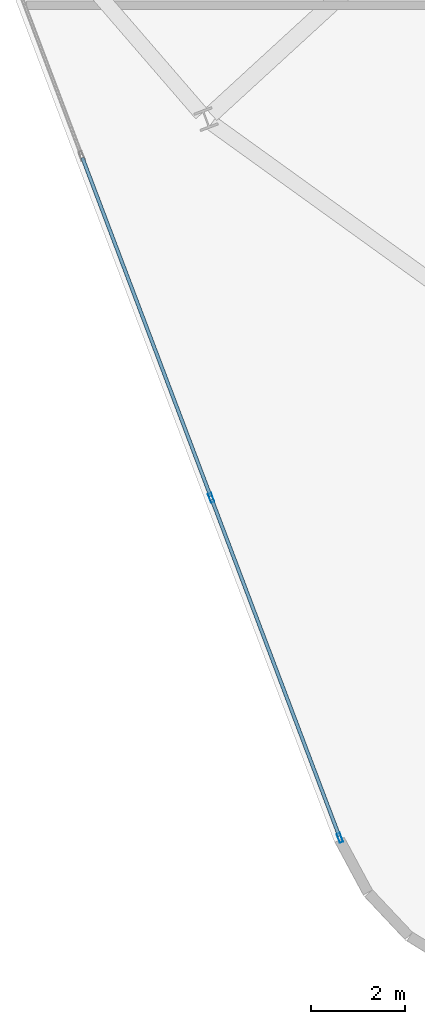
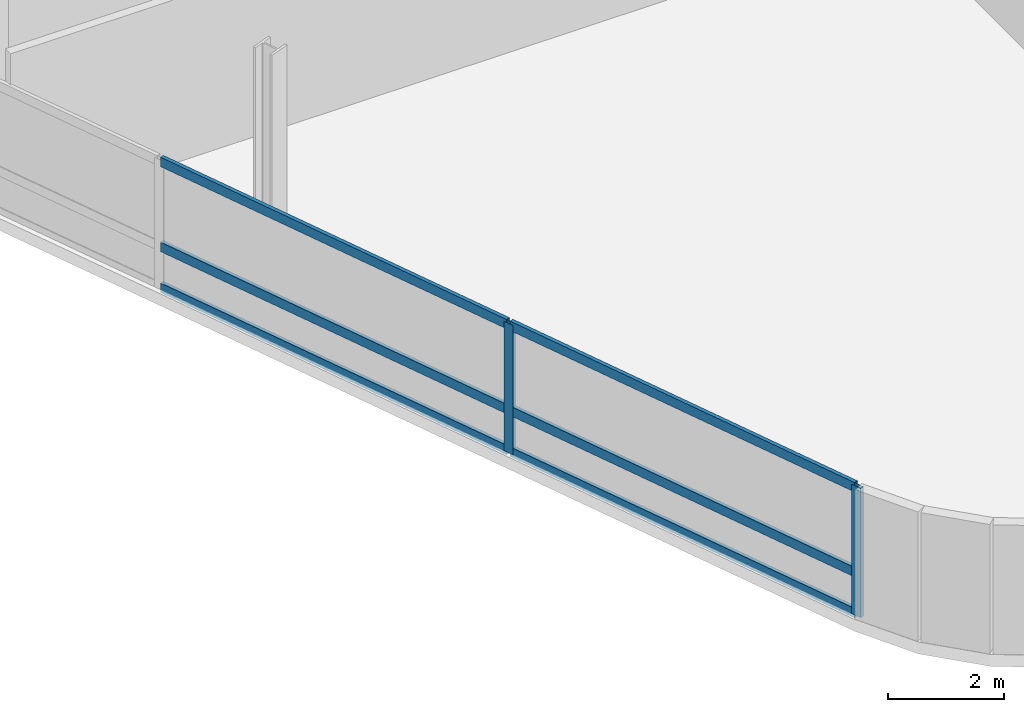
# One storey, part 3 of 20: 8 members, 1 element without a shape of its own.
"""IFC4 building model written with IfcOpenShell, lengths in metres."""

import ifcopenshell
import ifcopenshell.guid

model = None  # the IFC model being written
_history = None  # IfcOwnerHistory: only IFC2X3 demands one
_inside = {}  # id of a spatial element -> (the spatial element, [elements in it])
_under = {}  # id of a project, library or spatial element -> (it, [spatial elements below it])
_declared = {}  # id of a project -> (the project, [libraries it declares])
_typed = {}  # id of a type object -> (the type object, [elements of that type])
_made_of = {}  # id of a material, layer set ... -> (it, [elements and type objects made of it])


def new_model(schema):
    """Start an empty IFC model of exactly this schema.

    Asked for "IFC4X3", IfcOpenShell would pick the latest addendum, in which some entities
    have other attributes; the version numbers below select the first issue.
    IFC2X3 requires an IfcOwnerHistory on every rooted entity: one is made here for all.
    """
    global model, _history
    if schema == "IFC4X3":
        model = ifcopenshell.file(schema_version=(4, 3, 0, 0))
    else:
        model = ifcopenshell.file(schema=schema)
    _inside.clear()
    _under.clear()
    _declared.clear()
    _typed.clear()
    _made_of.clear()
    _history = None
    if model.schema == "IFC2X3":
        org = make("IfcOrganization", Name="unknown")
        user = make(
            "IfcPersonAndOrganization",
            ThePerson=make("IfcPerson", FamilyName="unknown"),
            TheOrganization=org,
        )
        app = make(
            "IfcApplication",
            ApplicationDeveloper=org,
            Version="unknown",
            ApplicationFullName="unknown",
            ApplicationIdentifier="unknown",
        )
        _history = make(
            "IfcOwnerHistory",
            OwningUser=user,
            OwningApplication=app,
            ChangeAction="ADDED",
            CreationDate=0,
        )
    return model


def make(cls, **values):
    """One entity of the class cls with the attributes given. An attribute that is None is left unset."""
    return model.create_entity(
        cls, **{name: value for name, value in values.items() if value is not None}
    )


def rooted(cls, **values):
    """An entity with a GlobalId (a new one), such as an element, a storey or a relation."""
    return make(cls, GlobalId=ifcopenshell.guid.new(), OwnerHistory=_history, **values)


def si_unit(unit_type, name, prefix=None):
    """IfcSIUnit, for example si_unit("LENGTHUNIT", "METRE", prefix="MILLI")."""
    return make("IfcSIUnit", UnitType=unit_type, Prefix=prefix, Name=name)


def assignment(units):
    """IfcUnitAssignment: the units of a project."""
    return None if units is None else make("IfcUnitAssignment", Units=units)


def point(xyz):
    """IfcCartesianPoint."""
    return None if xyz is None else make("IfcCartesianPoint", Coordinates=xyz)


def direction(xyz):
    """IfcDirection."""
    return None if xyz is None else make("IfcDirection", DirectionRatios=xyz)


def frame(location, z_axis=None, x_axis=None):
    """IfcAxis2Placement3D, a coordinate frame: its origin and axes. An axis left out is left unset."""
    return make(
        "IfcAxis2Placement3D",
        Location=point(location),
        Axis=direction(z_axis),
        RefDirection=direction(x_axis),
    )


def frame_2d(location, x_axis=None):
    """IfcAxis2Placement2D, a coordinate frame in the plane: its origin and x axis."""
    return make(
        "IfcAxis2Placement2D", Location=point(location), RefDirection=direction(x_axis)
    )


def origin():
    """The frame at (0, 0, 0) with its axes left unset."""
    return frame((0.0, 0.0, 0.0))


def origin_2d():
    """The frame at (0, 0) in the plane with its x axis left unset."""
    return frame_2d((0.0, 0.0))


def place(relative_to, where):
    """IfcLocalPlacement: puts the frame where relative to a parent placement (None: the world)."""
    return make(
        "IfcLocalPlacement", PlacementRelTo=relative_to, RelativePlacement=where
    )


def context(
    kind, dimensions, precision=None, world=None, true_north=None, identifier=None
):
    """IfcGeometricRepresentationContext, for example the 3D "Model" context."""
    return make(
        "IfcGeometricRepresentationContext",
        ContextIdentifier=identifier,
        ContextType=kind,
        CoordinateSpaceDimension=dimensions,
        Precision=precision,
        WorldCoordinateSystem=world,
        TrueNorth=true_north,
    )


def subcontext(parent, identifier, kind, view, scale=None):
    """IfcGeometricRepresentationSubContext, for example "Body" below "Model"."""
    return make(
        "IfcGeometricRepresentationSubContext",
        ContextIdentifier=identifier,
        ContextType=kind,
        ParentContext=parent,
        TargetScale=scale,
        TargetView=view,
    )


def project(units=None, contexts=None):
    """IfcProject with its units and contexts."""
    return rooted(
        "IfcProject",
        Name="project",
        RepresentationContexts=contexts,
        UnitsInContext=assignment(units),
    )


def spatial(cls, under=None, at=None, **own):
    """A site, building, storey or space (cls), placed at a placement, below another one or the project."""
    s = rooted(cls, ObjectPlacement=at, **own)
    if under is not None:
        _under.setdefault(under.id(), (under, []))[1].append(s)
    return s


def profile(cls, at=None, kind="AREA", **sizes):
    """A parametric profile (cls). Its sizes go by their IFC names, for example OverallWidth=200.0."""
    return make(cls, ProfileType=kind, Position=at, **sizes)


def hollow_rectangle(**sizes):
    """IfcRectangleHollowProfileDef."""
    return profile("IfcRectangleHollowProfileDef", **sizes)


def extrude(swept, where, along, depth):
    """IfcExtrudedAreaSolid: the profile swept, set in the frame where, extruded along a direction by depth."""
    return make(
        "IfcExtrudedAreaSolid",
        SweptArea=swept,
        Position=where,
        ExtrudedDirection=direction(along),
        Depth=depth,
    )


def shape(context_of_items, identifier, shape_type, items):
    """IfcShapeRepresentation: the items that make up one representation, for example the "Body"."""
    return make(
        "IfcShapeRepresentation",
        ContextOfItems=context_of_items,
        RepresentationIdentifier=identifier,
        RepresentationType=shape_type,
        Items=items,
    )


def material(Name=None, Category=None):
    """IfcMaterial."""
    return make("IfcMaterial", Name=Name, Category=Category)


def layer(
    of_material, thickness, ventilated=None, Name=None, Category=None, Priority=None
):
    """IfcMaterialLayer: one layer of a wall or slab, of a material (None: an air gap)."""
    return make(
        "IfcMaterialLayer",
        Material=of_material,
        LayerThickness=thickness,
        IsVentilated=ventilated,
        Name=Name,
        Category=Category,
        Priority=Priority,
    )


def layer_set(layers, Name=None):
    """IfcMaterialLayerSet."""
    return make("IfcMaterialLayerSet", MaterialLayers=layers, LayerSetName=Name)


def material_profile(
    of_material, cross_section, Name=None, Category=None, Priority=None
):
    """IfcMaterialProfile: a cross section and its material."""
    return make(
        "IfcMaterialProfile",
        Name=Name,
        Material=of_material,
        Profile=cross_section,
        Priority=Priority,
        Category=Category,
    )


def profile_set(profiles, Name=None, composite=None):
    """IfcMaterialProfileSet."""
    return make(
        "IfcMaterialProfileSet",
        Name=Name,
        MaterialProfiles=profiles,
        CompositeProfile=composite,
    )


def made_of(thing, what):
    """Note that an element or type object is made of a material, layer set ...; save() writes the relation."""
    if what is not None:
        _made_of.setdefault(what.id(), (what, []))[1].append(thing)
    return thing


def type_object(cls, material=None, **own):
    """A type object (cls), such as IfcWallType, which elements share."""
    return made_of(rooted(cls, **own), material)


def element(
    cls,
    number,
    at=None,
    inside=None,
    cuts=None,
    type_object=None,
    material=None,
    context=None,
    identifier="Body",
    shape_type=None,
    held_by="IfcProductDefinitionShape",
    body=None,
    shapes=None,
    **own,
):
    """One element of the class cls, such as IfcWall. Its Tag is "e" and its number.

    at: its placement. inside: the storey or other place that contains it. cuts: it is an
    opening in that element (IfcRelVoidsElement). A single representation is given by context,
    identifier, shape_type and body (its items); several are given by shapes. held_by: the class
    of the entity that holds the representations. save() writes the other relations.
    """
    e = rooted(cls, Tag="e%d" % number, ObjectPlacement=at, **own)
    if body is not None:
        shapes = [shape(context, identifier, shape_type, body)]
    if shapes is not None:
        e.Representation = make(held_by, Representations=shapes)
    if inside is not None:
        _inside.setdefault(inside.id(), (inside, []))[1].append(e)
    if cuts is not None:
        rooted(
            "IfcRelVoidsElement", RelatingBuildingElement=cuts, RelatedOpeningElement=e
        )
    if type_object is not None:
        _typed.setdefault(type_object.id(), (type_object, []))[1].append(e)
    return made_of(e, material)


def aggregate(whole, parts):
    """IfcRelAggregates: a whole, such as a stair, and the parts it consists of."""
    return rooted("IfcRelAggregates", RelatingObject=whole, RelatedObjects=parts)


def save(model, path):
    """Write the relations noted so far, then the file.

    IfcRelAggregates (storeys below a building ...), IfcRelContainedInSpatialStructure (elements
    in a storey), IfcRelDefinesByType, IfcRelAssociatesMaterial and IfcRelDeclares: one each for
    every whole, place, type object, material and project.
    """
    for whole, parts in _under.values():
        aggregate(whole, parts)
    for where, things in _inside.values():
        rooted(
            "IfcRelContainedInSpatialStructure",
            RelatedElements=things,
            RelatingStructure=where,
        )
    for kind, things in _typed.values():
        rooted("IfcRelDefinesByType", RelatedObjects=things, RelatingType=kind)
    for what, things in _made_of.values():
        rooted("IfcRelAssociatesMaterial", RelatedObjects=things, RelatingMaterial=what)
    for by, libraries in _declared.values():
        rooted("IfcRelDeclares", RelatingContext=by, RelatedDefinitions=libraries)
    model.write(path)


model = new_model("IFC4")

# Units and contexts
model_context = context("Model", 3, precision=1e-05, world=origin(), true_north=direction((0.0, 1.0)))
body_context = subcontext(model_context, "Body", "Model", "MODEL_VIEW")
ifc_project = project(units=[si_unit("LENGTHUNIT", "METRE"), si_unit("AREAUNIT", "SQUARE_METRE"), si_unit("VOLUMEUNIT", "CUBIC_METRE"), si_unit("PLANEANGLEUNIT", "RADIAN"), si_unit("MASSUNIT", "GRAM", prefix="KILO")], contexts=[model_context])

# Site, building, storey
site_placement = place(None, origin())
site = spatial("IfcSite", under=ifc_project, at=site_placement, CompositionType="ELEMENT")
building_placement = place(site_placement, origin())
building = spatial("IfcBuilding", under=site, at=building_placement, Name="Varnelok Gate Tower", CompositionType="ELEMENT")
storey_placement = place(building_placement, frame((0.0, 0.0, 238.60009765625)))
storey = spatial("IfcBuildingStorey", under=building, at=storey_placement, Name="L61", CompositionType="ELEMENT", Elevation=238.60009765625)

# Curtain wall, members
ifc_material = material(Name="Anodized Aluminum Alloy 6063-T6", Category="aluminium")
ifc_layer = layer(ifc_material, 0.179931640625)
ifc_layer_set = layer_set([ifc_layer], Name="Anodized Aluminum Alloy 6063-T6")
curtain_wall_type = type_object("IfcCurtainWallType", Name="CW4-RESIDENCE-VISION", PredefinedType="USERDEFINED", material=ifc_layer_set)
curtain_wall_placement = place(storey_placement, origin())
curtain_wall = element("IfcCurtainWall", 1, at=curtain_wall_placement, inside=storey, type_object=curtain_wall_type, Name="L61 West End Vision Curtain Wall", ObjectType="UNITISED CURTAIN WALL", PredefinedType="USERDEFINED")
ifc_material_profile_1 = material_profile(ifc_material, hollow_rectangle(XDim=0.074951171875, YDim=0.199951171875, WallThickness=0.00390625, at=origin_2d()), Name="ALU200X75X4")
ifc_profile_set_1 = profile_set([ifc_material_profile_1], Name="Anodized Aluminum Alloy 6063-T6")
member_type_1 = type_object("IfcMemberType", Name="CW-MULL-200", PredefinedType="MULLION", material=ifc_profile_set_1)
member_1_placement = place(storey_placement, frame((13.88525390625, -0.92431640625, 0.0), z_axis=(0.0, 0.0, 1.0), x_axis=(-0.935221557832, -0.354063042079, 0.0)))
member_1 = element("IfcMember", 2, at=member_1_placement, type_object=member_type_1, Name="CW4 mullion 1", PredefinedType="MULLION", context=body_context, shape_type="SweptSolid", body=[
    extrude(hollow_rectangle(XDim=0.074951171875, YDim=0.199951171875, WallThickness=0.00390625, at=origin_2d()), origin(), (0.0, 0.0, 1.0), 2.72998046875),
])
member_2_placement = place(storey_placement, frame((11.13671875, 6.33544921875, 0.0), z_axis=(0.0, 0.0, 1.0), x_axis=(-0.935221557832, -0.354063042079, 0.0)))
member_2 = element("IfcMember", 3, at=member_2_placement, type_object=member_type_1, Name="CW4 mullion 2", PredefinedType="MULLION", context=body_context, shape_type="SweptSolid", body=[
    extrude(hollow_rectangle(XDim=0.074951171875, YDim=0.199951171875, WallThickness=0.00390625, at=origin_2d()), origin(), (0.0, 0.0, 1.0), 2.72998046875),
])
ifc_material_profile_2 = material_profile(ifc_material, hollow_rectangle(XDim=0.074951171875, YDim=0.199951171875, WallThickness=0.00390625, at=origin_2d()), Name="ALU200X75X4")
ifc_profile_set_2 = profile_set([ifc_material_profile_2], Name="Anodized Aluminum Alloy 6063-T6")
member_type_2 = type_object("IfcMemberType", Name="CW-TRAN-200", PredefinedType="USERDEFINED", material=ifc_profile_set_2)
member_3_placement = place(storey_placement, frame((13.871826171875, -0.88916015625, 0.037353515625), z_axis=(-0.354045264669, 0.935228287941, 0.0), x_axis=(-0.935228287941, -0.354045264669, 0.0)))
member_3 = element("IfcMember", 4, at=member_3_placement, type_object=member_type_2, Name="CW4 transom 1.1", ObjectType="TRANSOM", PredefinedType="USERDEFINED", context=body_context, shape_type="SweptSolid", body=[
    extrude(hollow_rectangle(XDim=0.074951171875, YDim=0.199951171875, WallThickness=0.00390625, at=origin_2d()), origin(), (0.0, 0.0, 1.0), 7.687255859375),
])
member_4_placement = place(storey_placement, frame((13.871826171875, -0.88916015625, 0.89990234375), z_axis=(-0.354045264669, 0.935228287941, 0.0), x_axis=(-0.935228287941, -0.354045264669, 0.0)))
member_4 = element("IfcMember", 5, at=member_4_placement, type_object=member_type_2, Name="CW4 transom 1.2", ObjectType="TRANSOM", PredefinedType="USERDEFINED", context=body_context, shape_type="SweptSolid", body=[
    extrude(hollow_rectangle(XDim=0.074951171875, YDim=0.199951171875, WallThickness=0.00390625, at=origin_2d()), origin(), (0.0, 0.0, 1.0), 7.687255859375),
])
member_5_placement = place(storey_placement, frame((13.871826171875, -0.88916015625, 2.6923828125), z_axis=(-0.354045264669, 0.935228287941, 0.0), x_axis=(-0.935228287941, -0.354045264669, 0.0)))
member_5 = element("IfcMember", 6, at=member_5_placement, type_object=member_type_2, Name="CW4 transom 1.3", ObjectType="TRANSOM", PredefinedType="USERDEFINED", context=body_context, shape_type="SweptSolid", body=[
    extrude(hollow_rectangle(XDim=0.074951171875, YDim=0.199951171875, WallThickness=0.00390625, at=origin_2d()), origin(), (0.0, 0.0, 1.0), 7.687255859375),
])
member_6_placement = place(storey_placement, frame((11.12353515625, 6.370361328125, 0.037353515625), z_axis=(-0.354058714128, 0.935223196328, 0.0), x_axis=(-0.935223196328, -0.354058714128, 0.0)))
member_6 = element("IfcMember", 7, at=member_6_placement, type_object=member_type_2, Name="CW4 transom 2.1", ObjectType="TRANSOM", PredefinedType="USERDEFINED", context=body_context, shape_type="SweptSolid", body=[
    extrude(hollow_rectangle(XDim=0.074951171875, YDim=0.199951171875, WallThickness=0.00390625, at=origin_2d()), origin(), (0.0, 0.0, 1.0), 7.72509765625),
])
member_7_placement = place(storey_placement, frame((11.12353515625, 6.370361328125, 0.89990234375), z_axis=(-0.354058714128, 0.935223196328, 0.0), x_axis=(-0.935223196328, -0.354058714128, 0.0)))
member_7 = element("IfcMember", 8, at=member_7_placement, type_object=member_type_2, Name="CW4 transom 2.2", ObjectType="TRANSOM", PredefinedType="USERDEFINED", context=body_context, shape_type="SweptSolid", body=[
    extrude(hollow_rectangle(XDim=0.074951171875, YDim=0.199951171875, WallThickness=0.00390625, at=origin_2d()), origin(), (0.0, 0.0, 1.0), 7.72509765625),
])
member_8_placement = place(storey_placement, frame((11.12353515625, 6.370361328125, 2.6923828125), z_axis=(-0.354058714128, 0.935223196328, 0.0), x_axis=(-0.935223196328, -0.354058714128, 0.0)))
member_8 = element("IfcMember", 9, at=member_8_placement, type_object=member_type_2, Name="CW4 transom 2.3", ObjectType="TRANSOM", PredefinedType="USERDEFINED", context=body_context, shape_type="SweptSolid", body=[
    extrude(hollow_rectangle(XDim=0.074951171875, YDim=0.199951171875, WallThickness=0.00390625, at=origin_2d()), origin(), (0.0, 0.0, 1.0), 7.72509765625),
])
aggregate(curtain_wall, [member_1, member_2, member_3, member_4, member_5, member_6, member_7, member_8])

save(model, "model.ifc")
